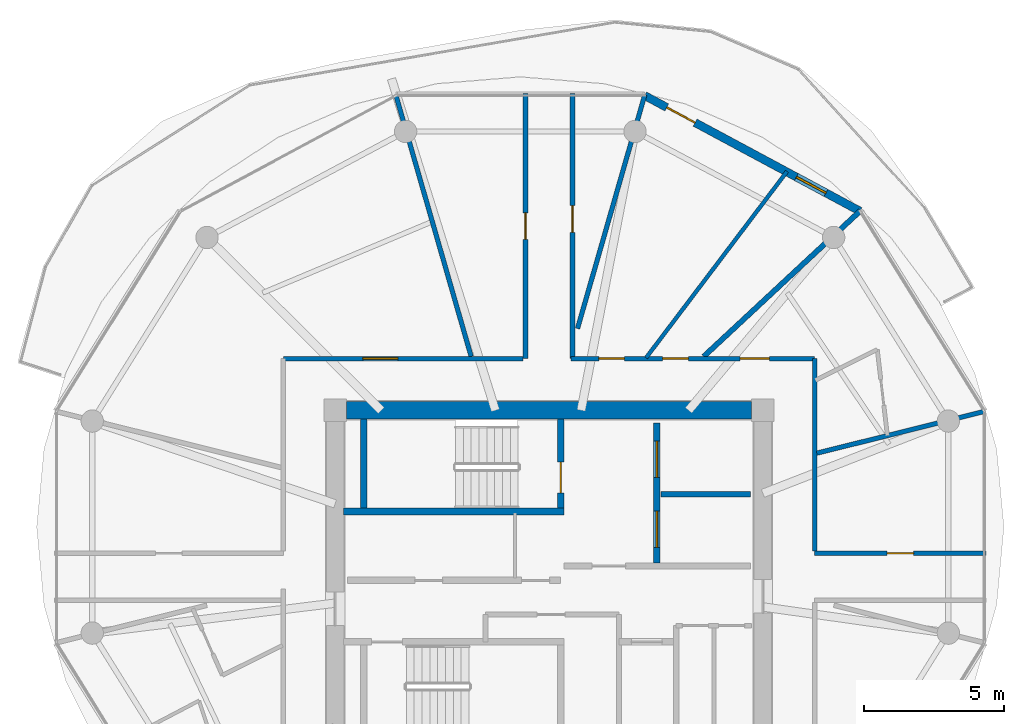
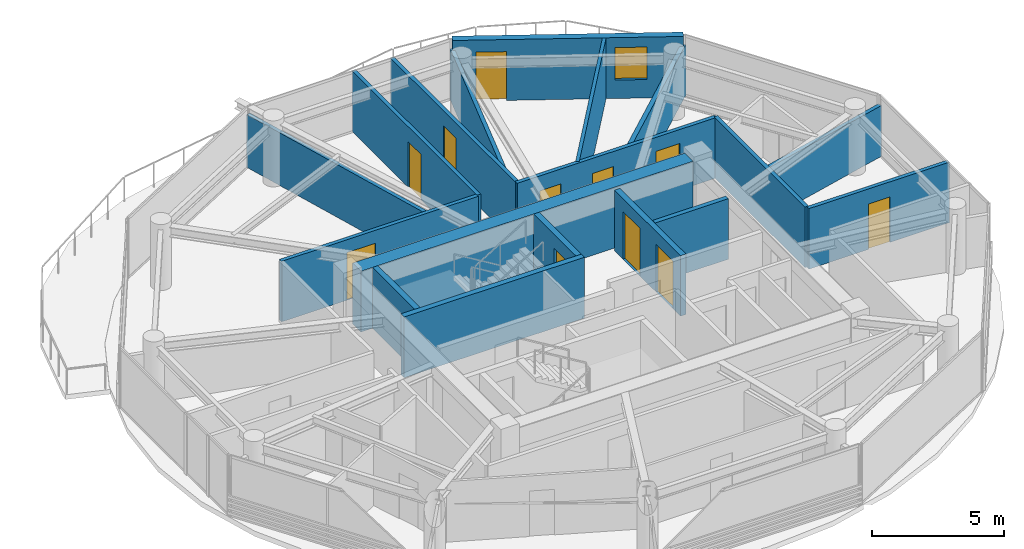
# One storey, part 16 of 22: 18 walls, 11 doors, 1 window, 12 openings.
"""IFC4 building model written with IfcOpenShell, lengths in metres."""

from ifc_helpers import new_model, si_unit, direction, frame, frame_2d, origin, place, context, subcontext, project, spatial, rectangle, extrude, source, transform, mapped, material, layer, layer_set, type_object, type_shapes, element, fill, save


model = new_model("IFC4")

# Units and contexts
model_context = context("Model", 3, precision=1e-05, world=origin(), true_north=direction((0.0, 1.0)))
body_context = subcontext(model_context, "Body", "Model", "MODEL_VIEW")
ifc_project = project(units=[si_unit("LENGTHUNIT", "METRE"), si_unit("AREAUNIT", "SQUARE_METRE"), si_unit("VOLUMEUNIT", "CUBIC_METRE"), si_unit("PLANEANGLEUNIT", "RADIAN"), si_unit("MASSUNIT", "GRAM", prefix="KILO")], contexts=[model_context])

# Site, building, storey
site_placement = place(None, origin())
site = spatial("IfcSite", under=ifc_project, at=site_placement, CompositionType="ELEMENT")
building_placement = place(site_placement, origin())
building = spatial("IfcBuilding", under=site, at=building_placement, Name="Norrkilde Senior Care Towers", CompositionType="ELEMENT")
storey_placement = place(building_placement, frame((0.0, 0.0, 180.050048828125)))
storey = spatial("IfcBuildingStorey", under=building, at=storey_placement, Name="L56", CompositionType="ELEMENT", Elevation=180.050048828125)

# Wall
ifc_material_1 = material(Name="Concrete C50/60", Category="concrete")
ifc_layer_1 = layer(ifc_material_1, 0.6201171875)
ifc_layer_set_1 = layer_set([ifc_layer_1], Name="Concrete C50/60")
wall_type_1 = type_object("IfcWallType", Name="Core Shear Wall Z3 620", PredefinedType="SHEAR", material=ifc_layer_set_1)
shared_shape_1 = source(origin(), body_context, "Body", "SweptSolid", [
    extrude(rectangle(XDim=14.5, YDim=0.6201171875, at=frame_2d((7.25, 0.0))), origin(), (0.0, 0.0, 1.0), 2.81005859375),
])
type_shapes(wall_type_1, [shared_shape_1])
wall_1_placement = place(storey_placement, frame((20.75, 5.949951171875, 0.0), z_axis=(0.0, 0.0, 1.0), x_axis=(1.0, 0.0, 0.0)))
element("IfcWall", 1, at=wall_1_placement, inside=storey, type_object=wall_type_1, Name="L56 Core E North Shear Wall", PredefinedType="SHEAR", context=body_context, shape_type="MappedRepresentation", body=[
    mapped(shared_shape_1, transform((0.0, 0.0, 0.0), x_axis=(1.0, 0.0, 0.0), y_axis=(0.0, 1.0, 0.0), z_axis=(0.0, 0.0, 1.0), scale=1.0)),
])

# Wall, openings, door, window
ifc_material_2 = material(Name="Precast concrete C45/55", Category="concrete")
ifc_layer_2 = layer(ifc_material_2, 0.2900390625)
ifc_layer_set_2 = layer_set([ifc_layer_2], Name="Precast concrete C45/55")
wall_type_2 = type_object("IfcWallType", Name="Winter Garden Facade Wall 290", PredefinedType="SOLIDWALL", material=ifc_layer_set_2)
shared_shape_2 = source(origin(), body_context, "Body", "SweptSolid", [
    extrude(rectangle(XDim=8.74169921875, YDim=0.2900390625, at=frame_2d((4.370849609375, 0.0))), origin(), (0.0, 0.0, 1.0), 2.81005859375),
])
type_shapes(wall_type_2, [shared_shape_2])
wall_2_placement = place(storey_placement, frame((31.421630859375, 17.2109375, 0.0), z_axis=(0.0, 0.0, 1.0), x_axis=(0.880992489116, -0.473130250693, 0.0)))
wall_2 = element("IfcWall", 2, at=wall_2_placement, inside=storey, type_object=wall_type_2, Name="L56 Drum E Balcony Access Wall 01", PredefinedType="SOLIDWALL", context=body_context, shape_type="MappedRepresentation", body=[
    mapped(shared_shape_2, transform((0.0, 0.0, 0.0), x_axis=(1.0, 0.0, 0.0), y_axis=(0.0, 1.0, 0.0), z_axis=(0.0, 0.0, 1.0), scale=1.0)),
])
opening_1_placement = place(wall_2_placement, frame((0.89990234375, 0.0, 0.0)))
opening_1 = element("IfcOpeningElement", 3, at=opening_1_placement, cuts=wall_2, Name="Opening D-09", PredefinedType="OPENING", context=body_context, shape_type="SweptSolid", body=[
    extrude(rectangle(XDim=1.14990234375, YDim=2.25, at=frame_2d((0.574951171875, 1.125))), frame((0.0, 0.155029296875, 0.0), z_axis=(0.0, -1.0, 0.0), x_axis=(1.0, 0.0, 0.0)), (0.0, 0.0, 1.0), 0.31005859375),
])
opening_2_placement = place(wall_2_placement, frame((6.160888671875, 0.0, 0.85009765625)))
opening_2 = element("IfcOpeningElement", 4, at=opening_2_placement, cuts=wall_2, Name="Opening WN-07", PredefinedType="OPENING", context=body_context, shape_type="SweptSolid", body=[
    extrude(rectangle(XDim=1.199951171875, YDim=1.5, at=frame_2d((0.60009765625, 0.75))), frame((0.0, 0.155029296875, 0.0), z_axis=(0.0, -1.0, 0.0), x_axis=(1.0, 0.0, 0.0)), (0.0, 0.0, 1.0), 0.31005859375),
])
ifc_material_3 = material(Name="Anodised Aluminium", Category="aluminium")
door_type_1 = type_object("IfcDoorType", Name="Terrace and Balcony Glazed Door 1150x2250", OperationType="NOTDEFINED", PredefinedType="DOOR", material=ifc_material_3)
shared_shape_3 = source(origin(), body_context, "Body", "SweptSolid", [
    extrude(rectangle(XDim=1.14990234375, YDim=2.25, at=frame_2d((0.574951171875, 1.125))), frame((0.0, 0.02490234375, 0.0), z_axis=(0.0, -1.0, 0.0), x_axis=(1.0, 0.0, 0.0)), (0.0, 0.0, 1.0), 0.050048828125),
])
type_shapes(door_type_1, [shared_shape_3])
door_1_placement = place(opening_1_placement, origin())
door_1 = element("IfcDoor", 5, at=door_1_placement, inside=storey, type_object=door_type_1, Name="L56 Drum E Outdoor Terrace Door 01", OperationType="SINGLE_SWING_RIGHT", OverallHeight=2.25, OverallWidth=1.14990234375, PredefinedType="DOOR", context=body_context, shape_type="MappedRepresentation", body=[
    mapped(shared_shape_3, transform((0.0, 0.0, 0.0), x_axis=(1.0, 0.0, 0.0), y_axis=(0.0, 1.0, 0.0), z_axis=(0.0, 0.0, 1.0), scale=1.0)),
])
fill(opening_1, door_1)
ifc_material_4 = material(Name="Triple Low-E Insulated Glazing", Category="glass")
window_type = type_object("IfcWindowType", Name="Stairwell Smoke Vent Window 1200x1500", PartitioningType="SINGLE_PANEL", PredefinedType="WINDOW", material=ifc_material_4)
shared_shape_4 = source(origin(), body_context, "Body", "SweptSolid", [
    extrude(rectangle(XDim=1.199951171875, YDim=1.5, at=frame_2d((0.60009765625, 0.75))), frame((0.0, 0.030029296875, 0.0), z_axis=(0.0, -1.0, 0.0), x_axis=(1.0, 0.0, 0.0)), (0.0, 0.0, 1.0), 0.06005859375),
])
type_shapes(window_type, [shared_shape_4])
window_placement = place(opening_2_placement, origin())
window = element("IfcWindow", 6, at=window_placement, inside=storey, type_object=window_type, Name="L56 Drum E Winter Garden Window 01", OverallHeight=1.5, OverallWidth=1.199951171875, PartitioningType="SINGLE_PANEL", PredefinedType="WINDOW", context=body_context, shape_type="MappedRepresentation", body=[
    mapped(shared_shape_4, transform((0.0, 0.0, 0.0), x_axis=(1.0, 0.0, 0.0), y_axis=(0.0, 1.0, 0.0), z_axis=(0.0, 0.0, 1.0), scale=1.0)),
])
fill(opening_2, window)

# Walls
ifc_material_5 = material(Name="Concrete C45/55", Category="concrete")
ifc_layer_3 = layer(ifc_material_5, 0.239990234375)
ifc_layer_set_3 = layer_set([ifc_layer_3], Name="Concrete C45/55")
wall_type_3 = type_object("IfcWallType", Name="Shaft and Stair Enclosure Wall 240", PredefinedType="PARTITIONING", material=ifc_layer_set_3)
shared_shape_5 = source(origin(), body_context, "Body", "SweptSolid", [
    extrude(rectangle(XDim=7.880126953125, YDim=0.239990234375, at=frame_2d((3.93994140625, 0.0))), origin(), (0.0, 0.0, 1.0), 2.81005859375),
])
wall_3_placement = place(storey_placement, frame((20.659912109375, 2.330078125, 0.0), z_axis=(0.0, 0.0, 1.0), x_axis=(1.0, 0.0, 0.0)))
element("IfcWall", 7, at=wall_3_placement, inside=storey, type_object=wall_type_3, Name="WL-INT-L56-E-ST1S", PredefinedType="PARTITIONING", context=body_context, shape_type="MappedRepresentation", body=[
    mapped(shared_shape_5, transform((0.0, 0.0, 0.0), x_axis=(1.0, 0.0, 0.0), y_axis=(0.0, 1.0, 0.0), z_axis=(0.0, 0.0, 1.0), scale=1.0)),
])
shared_shape_6 = source(origin(), body_context, "Body", "SweptSolid", [
    extrude(rectangle(XDim=3.18994140625, YDim=0.239990234375, at=frame_2d((1.594970703125, 0.0))), origin(), (0.0, 0.0, 1.0), 2.81005859375),
])
type_shapes(wall_type_3, [shared_shape_5, shared_shape_6])
wall_4_placement = place(storey_placement, frame((21.3798828125, 2.449951171875, 0.0), z_axis=(0.0, 0.0, 1.0), x_axis=(0.0, 1.0, 0.0)))
element("IfcWall", 8, at=wall_4_placement, inside=storey, type_object=wall_type_3, Name="WL-INT-L56-E-ST1W", PredefinedType="PARTITIONING", context=body_context, shape_type="MappedRepresentation", body=[
    mapped(shared_shape_6, transform((0.0, 0.0, 0.0), x_axis=(1.0, 0.0, 0.0), y_axis=(0.0, 1.0, 0.0), z_axis=(0.0, 0.0, 1.0), scale=1.0)),
])

# Wall, opening, door
wall_5_placement = place(storey_placement, frame((28.419921875, 2.449951171875, 0.0), z_axis=(0.0, 0.0, 1.0), x_axis=(0.0, 1.0, 0.0)))
wall_5 = element("IfcWall", 9, at=wall_5_placement, inside=storey, type_object=wall_type_3, Name="WL-INT-L56-E-ST1E", PredefinedType="PARTITIONING", context=body_context, shape_type="MappedRepresentation", body=[
    mapped(shared_shape_6, transform((0.0, 0.0, 0.0), x_axis=(1.0, 0.0, 0.0), y_axis=(0.0, 1.0, 0.0), z_axis=(0.0, 0.0, 1.0), scale=1.0)),
])
opening_3_placement = place(wall_5_placement, frame((0.550048828125, 0.0, 0.0)))
opening_3 = element("IfcOpeningElement", 10, at=opening_3_placement, cuts=wall_5, Name="Opening D-03", PredefinedType="OPENING", context=body_context, shape_type="SweptSolid", body=[
    extrude(rectangle(XDim=1.10009765625, YDim=2.14990234375, at=frame_2d((0.550048828125, 1.074951171875))), frame((0.0, 0.1298828125, 0.0), z_axis=(0.0, -1.0, 0.0), x_axis=(1.0, 0.0, 0.0)), (0.0, 0.0, 1.0), 0.260009765625),
])
ifc_material_6 = material(Name="Galvanised Painted Steel", Category="steel")
door_type_2 = type_object("IfcDoorType", Name="Stairwell Protected Fire Door 1100x2150", OperationType="NOTDEFINED", PredefinedType="DOOR", material=ifc_material_6)
shared_shape_7 = source(origin(), body_context, "Body", "SweptSolid", [
    extrude(rectangle(XDim=1.10009765625, YDim=2.14990234375, at=frame_2d((0.550048828125, 1.074951171875))), frame((0.0, 0.02490234375, 0.0), z_axis=(0.0, -1.0, 0.0), x_axis=(1.0, 0.0, 0.0)), (0.0, 0.0, 1.0), 0.050048828125),
])
type_shapes(door_type_2, [shared_shape_7])
door_2_placement = place(opening_3_placement, origin())
door_2 = element("IfcDoor", 11, at=door_2_placement, inside=storey, type_object=door_type_2, Name="L56 Stair E1 Fire Door", OperationType="SINGLE_SWING_LEFT", OverallHeight=2.14990234375, OverallWidth=1.10009765625, PredefinedType="DOOR", context=body_context, shape_type="MappedRepresentation", body=[
    mapped(shared_shape_7, transform((0.0, 0.0, 0.0), x_axis=(1.0, 0.0, 0.0), y_axis=(0.0, 1.0, 0.0), z_axis=(0.0, 0.0, 1.0), scale=1.0)),
])
fill(opening_3, door_2)

# Wall, openings, doors
ifc_layer_4 = layer(ifc_material_5, 0.239990234375)
ifc_layer_set_4 = layer_set([ifc_layer_4], Name="Concrete C45/55")
wall_type_4 = type_object("IfcWallType", Name="Lift and Plant Rated Enclosure Partition 240", PredefinedType="PARTITIONING", material=ifc_layer_set_4)
shared_shape_8 = source(origin(), body_context, "Body", "SweptSolid", [
    extrude(rectangle(XDim=5.0, YDim=0.239990234375, at=frame_2d((2.5, 0.0))), origin(), (0.0, 0.0, 1.0), 2.794921875),
])
type_shapes(wall_type_4, [shared_shape_8])
wall_6_placement = place(storey_placement, frame((31.860107421875, 0.5, 0.0), z_axis=(0.0, 0.0, 1.0), x_axis=(0.0, 1.0, 0.0)))
wall_6 = element("IfcWall", 12, at=wall_6_placement, inside=storey, type_object=wall_type_4, Name="WL-INT-L56-E-FFLE", PredefinedType="PARTITIONING", context=body_context, shape_type="MappedRepresentation", body=[
    mapped(shared_shape_8, transform((0.0, 0.0, 0.0), x_axis=(1.0, 0.0, 0.0), y_axis=(0.0, 1.0, 0.0), z_axis=(0.0, 0.0, 1.0), scale=1.0)),
])
opening_4_placement = place(wall_6_placement, frame((3.050048828125, 0.0, 0.0)))
opening_4 = element("IfcOpeningElement", 13, at=opening_4_placement, cuts=wall_6, Name="Opening LD-02", PredefinedType="OPENING", context=body_context, shape_type="SweptSolid", body=[
    extrude(rectangle(XDim=1.300048828125, YDim=2.199951171875, at=frame_2d((0.64990234375, 1.10009765625))), frame((0.0, 0.1298828125, 0.0), z_axis=(0.0, -1.0, 0.0), x_axis=(1.0, 0.0, 0.0)), (0.0, 0.0, 1.0), 0.260009765625),
])
opening_5_placement = place(wall_6_placement, frame((0.550048828125, 0.0, 0.0)))
opening_5 = element("IfcOpeningElement", 14, at=opening_5_placement, cuts=wall_6, Name="Opening LD-02", PredefinedType="OPENING", context=body_context, shape_type="SweptSolid", body=[
    extrude(rectangle(XDim=1.300048828125, YDim=2.199951171875, at=frame_2d((0.64990234375, 1.10009765625))), frame((0.0, 0.1298828125, 0.0), z_axis=(0.0, -1.0, 0.0), x_axis=(1.0, 0.0, 0.0)), (0.0, 0.0, 1.0), 0.260009765625),
])
ifc_material_7 = material(Name="Stainless Steel", Category="steel")
door_type_3 = type_object("IfcDoorType", Name="Stretcher and FFL Landing Sliding Door 1300x2200", OperationType="NOTDEFINED", PredefinedType="DOOR", material=ifc_material_7)
shared_shape_9 = source(origin(), body_context, "Body", "SweptSolid", [
    extrude(rectangle(XDim=1.300048828125, YDim=2.199951171875, at=frame_2d((0.64990234375, 1.10009765625))), frame((0.0, 0.02490234375, 0.0), z_axis=(0.0, -1.0, 0.0), x_axis=(1.0, 0.0, 0.0)), (0.0, 0.0, 1.0), 0.050048828125),
])
type_shapes(door_type_3, [shared_shape_9])
door_3_placement = place(opening_4_placement, origin())
door_3 = element("IfcDoor", 15, at=door_3_placement, inside=storey, type_object=door_type_3, Name="L56 Firefighting Lift E1 Landing Door", OperationType="SLIDING_TO_LEFT", OverallHeight=2.199951171875, OverallWidth=1.300048828125, PredefinedType="DOOR", context=body_context, shape_type="MappedRepresentation", body=[
    mapped(shared_shape_9, transform((0.0, 0.0, 0.0), x_axis=(1.0, 0.0, 0.0), y_axis=(0.0, 1.0, 0.0), z_axis=(0.0, 0.0, 1.0), scale=1.0)),
])
fill(opening_4, door_3)
door_4_placement = place(opening_5_placement, origin())
door_4 = element("IfcDoor", 16, at=door_4_placement, inside=storey, type_object=door_type_3, Name="L56 Stretcher Lift E1 Landing Door", OperationType="SLIDING_TO_RIGHT", OverallHeight=2.199951171875, OverallWidth=1.300048828125, PredefinedType="DOOR", context=body_context, shape_type="MappedRepresentation", body=[
    mapped(shared_shape_9, transform((0.0, 0.0, 0.0), x_axis=(1.0, 0.0, 0.0), y_axis=(0.0, 1.0, 0.0), z_axis=(0.0, 0.0, 1.0), scale=1.0)),
])
fill(opening_5, door_4)

# Wall
ifc_layer_5 = layer(ifc_material_5, 0.199951171875)
ifc_layer_set_5 = layer_set([ifc_layer_5], Name="Concrete C45/55")
wall_type_5 = type_object("IfcWallType", Name="Shaft Division and Plant Partition 200", PredefinedType="PARTITIONING", material=ifc_layer_set_5)
shared_shape_10 = source(origin(), body_context, "Body", "SweptSolid", [
    extrude(rectangle(XDim=3.199951171875, YDim=0.199951171875, at=frame_2d((1.60009765625, 0.0))), origin(), (0.0, 0.0, 1.0), 2.794921875),
])
type_shapes(wall_type_5, [shared_shape_10])
wall_7_placement = place(storey_placement, frame((32.0, 2.949951171875, 0.0), z_axis=(0.0, 0.0, 1.0), x_axis=(1.0, 0.0, 0.0)))
element("IfcWall", 17, at=wall_7_placement, inside=storey, type_object=wall_type_5, Name="WL-INT-L56-E-FFLDIV", PredefinedType="PARTITIONING", context=body_context, shape_type="MappedRepresentation", body=[
    mapped(shared_shape_10, transform((0.0, 0.0, 0.0), x_axis=(1.0, 0.0, 0.0), y_axis=(0.0, 1.0, 0.0), z_axis=(0.0, 0.0, 1.0), scale=1.0)),
])

# Wall, openings, doors
ifc_material_8 = material(Name="Gypsum Acoustic Board")
ifc_layer_6 = layer(ifc_material_8, 0.1650390625)
ifc_layer_set_6 = layer_set([ifc_layer_6], Name="Gypsum Acoustic Board")
wall_type_6 = type_object("IfcWallType", Name="Corridor Rated Partition 165", PredefinedType="PARTITIONING", material=ifc_layer_set_6)
shared_shape_11 = source(origin(), body_context, "Body", "SweptSolid", [
    extrude(rectangle(XDim=8.719482421875, YDim=0.1650390625, at=frame_2d((4.35986328125, 0.0))), origin(), (0.0, 0.0, 1.0), 2.794921875),
])
wall_8_placement = place(storey_placement, frame((28.780517578125, 7.800048828125, 0.0), z_axis=(0.0, 0.0, 1.0), x_axis=(1.0, 0.0, 0.0)))
wall_8 = element("IfcWall", 18, at=wall_8_placement, inside=storey, type_object=wall_type_6, Name="WL-INT-L56-E-CRW-N-1", PredefinedType="PARTITIONING", context=body_context, shape_type="MappedRepresentation", body=[
    mapped(shared_shape_11, transform((0.0, 0.0, 0.0), x_axis=(1.0, 0.0, 0.0), y_axis=(0.0, 1.0, 0.0), z_axis=(0.0, 0.0, 1.0), scale=1.0)),
])
opening_6_placement = place(wall_8_placement, frame((6.054443359375, 0.0, 0.0)))
opening_6 = element("IfcOpeningElement", 19, at=opening_6_placement, cuts=wall_8, Name="Opening D-06", PredefinedType="OPENING", context=body_context, shape_type="SweptSolid", body=[
    extrude(rectangle(XDim=1.050048828125, YDim=2.14990234375, at=frame_2d((0.52490234375, 1.074951171875))), frame((0.0, 0.092529296875, 0.0), z_axis=(0.0, -1.0, 0.0), x_axis=(1.0, 0.0, 0.0)), (0.0, 0.0, 1.0), 0.18505859375),
])
opening_7_placement = place(wall_8_placement, frame((3.286865234375, 0.0, 0.0)))
opening_7 = element("IfcOpeningElement", 20, at=opening_7_placement, cuts=wall_8, Name="Opening D-08", PredefinedType="OPENING", context=body_context, shape_type="SweptSolid", body=[
    extrude(rectangle(XDim=0.919921875, YDim=2.10009765625, at=frame_2d((0.4599609375, 1.050048828125))), frame((0.0, 0.092529296875, 0.0), z_axis=(0.0, -1.0, 0.0), x_axis=(1.0, 0.0, 0.0)), (0.0, 0.0, 1.0), 0.18505859375),
])
opening_8_placement = place(wall_8_placement, frame((1.0, 0.0, 0.0)))
opening_8 = element("IfcOpeningElement", 21, at=opening_8_placement, cuts=wall_8, Name="Opening D-08", PredefinedType="OPENING", context=body_context, shape_type="SweptSolid", body=[
    extrude(rectangle(XDim=0.919921875, YDim=2.10009765625, at=frame_2d((0.4599609375, 1.050048828125))), frame((0.0, 0.092529296875, 0.0), z_axis=(0.0, -1.0, 0.0), x_axis=(1.0, 0.0, 0.0)), (0.0, 0.0, 1.0), 0.18505859375),
])
ifc_material_9 = material(Name="Nordic Ash Timber", Category="wood")
door_type_4 = type_object("IfcDoorType", Name="Accessible Wet Room Door 920x2100", OperationType="NOTDEFINED", PredefinedType="DOOR", material=ifc_material_9)
shared_shape_12 = source(origin(), body_context, "Body", "SweptSolid", [
    extrude(rectangle(XDim=0.919921875, YDim=2.10009765625, at=frame_2d((0.4599609375, 1.050048828125))), frame((0.0, 0.02490234375, 0.0), z_axis=(0.0, -1.0, 0.0), x_axis=(1.0, 0.0, 0.0)), (0.0, 0.0, 1.0), 0.050048828125),
])
type_shapes(door_type_4, [shared_shape_12])
door_5_placement = place(opening_7_placement, frame((0.919921875, 0.0, 0.0), z_axis=(0.0, 0.0, 1.0), x_axis=(-1.0, 0.0, 0.0)))
door_5 = element("IfcDoor", 22, at=door_5_placement, inside=storey, type_object=door_type_4, Name="L56 Accessible Restroom Door", OperationType="SINGLE_SWING_RIGHT", OverallHeight=2.10009765625, OverallWidth=0.919921875, PredefinedType="DOOR", context=body_context, shape_type="MappedRepresentation", body=[
    mapped(shared_shape_12, transform((0.0, 0.0, 0.0), x_axis=(1.0, 0.0, 0.0), y_axis=(0.0, 1.0, 0.0), z_axis=(0.0, 0.0, 1.0), scale=1.0)),
])
fill(opening_7, door_5)
door_6_placement = place(opening_8_placement, frame((0.919921875, 0.0, 0.0), z_axis=(0.0, 0.0, 1.0), x_axis=(-1.0, 0.0, 0.0)))
door_6 = element("IfcDoor", 23, at=door_6_placement, inside=storey, type_object=door_type_4, Name="L56 Public Restroom Door", OperationType="SINGLE_SWING_LEFT", OverallHeight=2.10009765625, OverallWidth=0.919921875, PredefinedType="DOOR", context=body_context, shape_type="MappedRepresentation", body=[
    mapped(shared_shape_12, transform((0.0, 0.0, 0.0), x_axis=(1.0, 0.0, 0.0), y_axis=(0.0, 1.0, 0.0), z_axis=(0.0, 0.0, 1.0), scale=1.0)),
])
fill(opening_8, door_6)
door_type_5 = type_object("IfcDoorType", Name="Apartment Entrance Fire Door 1050x2150", OperationType="NOTDEFINED", PredefinedType="DOOR", material=ifc_material_9)
shared_shape_13 = source(origin(), body_context, "Body", "SweptSolid", [
    extrude(rectangle(XDim=1.050048828125, YDim=2.14990234375, at=frame_2d((0.52490234375, 1.074951171875))), frame((0.0, 0.02490234375, 0.0), z_axis=(0.0, -1.0, 0.0), x_axis=(1.0, 0.0, 0.0)), (0.0, 0.0, 1.0), 0.050048828125),
])
type_shapes(door_type_5, [shared_shape_13])
door_7_placement = place(opening_6_placement, frame((1.050048828125, 0.0, 0.0), z_axis=(0.0, 0.0, 1.0), x_axis=(-1.0, 0.0, 0.0)))
door_7 = element("IfcDoor", 24, at=door_7_placement, inside=storey, type_object=door_type_5, Name="L56 Studio 56A Entrance Door", OperationType="SINGLE_SWING_LEFT", OverallHeight=2.14990234375, OverallWidth=1.050048828125, PredefinedType="DOOR", context=body_context, shape_type="MappedRepresentation", body=[
    mapped(shared_shape_13, transform((0.0, 0.0, 0.0), x_axis=(1.0, 0.0, 0.0), y_axis=(0.0, 1.0, 0.0), z_axis=(0.0, 0.0, 1.0), scale=1.0)),
])
fill(opening_6, door_7)

# Walls
shared_shape_14 = source(origin(), body_context, "Body", "SweptSolid", [
    extrude(rectangle(XDim=9.73046875, YDim=0.1650390625, at=frame_2d((4.865234375, 0.0))), origin(), (0.0, 0.0, 1.0), 2.43505859375),
])
wall_9_placement = place(storey_placement, frame((25.216552734375, 7.8798828125, 0.0), z_axis=(0.0, 0.0, 1.0), x_axis=(-0.27679492614, 0.960929013436, 0.0)))
element("IfcWall", 25, at=wall_9_placement, inside=storey, type_object=wall_type_6, Name="WL-INT-L56-E-DEM-03-0", PredefinedType="PARTITIONING", context=body_context, shape_type="MappedRepresentation", body=[
    mapped(shared_shape_14, transform((0.0, 0.0, 0.0), x_axis=(1.0, 0.0, 0.0), y_axis=(0.0, 1.0, 0.0), z_axis=(0.0, 0.0, 1.0), scale=1.0)),
])
ifc_layer_7 = layer(ifc_material_8, 0.18994140625)
ifc_layer_set_7 = layer_set([ifc_layer_7], Name="Gypsum Acoustic Board")
wall_type_7 = type_object("IfcWallType", Name="Unit Demising Acoustic Wall 190", PredefinedType="PARTITIONING", material=ifc_layer_set_7)
shared_shape_15 = source(origin(), body_context, "Body", "SweptSolid", [
    extrude(rectangle(XDim=7.64794921875, YDim=0.18994140625, at=frame_2d((3.823974609375, 0.0))), origin(), (0.0, 0.0, 1.0), 2.344970703125),
])
type_shapes(wall_type_7, [shared_shape_15])
wall_10_placement = place(storey_placement, frame((33.53759765625, 7.8798828125, 0.0), z_axis=(0.0, 0.0, 1.0), x_axis=(0.732167856666, 0.681124239522, 0.0)))
element("IfcWall", 26, at=wall_10_placement, inside=storey, type_object=wall_type_7, Name="WL-INT-L56-E-DEM-01-0", PredefinedType="PARTITIONING", context=body_context, shape_type="MappedRepresentation", body=[
    mapped(shared_shape_15, transform((0.0, 0.0, 0.0), x_axis=(1.0, 0.0, 0.0), y_axis=(0.0, 1.0, 0.0), z_axis=(0.0, 0.0, 1.0), scale=1.0)),
])
shared_shape_16 = source(origin(), body_context, "Body", "SweptSolid", [
    extrude(rectangle(XDim=8.695068359375, YDim=0.1650390625, at=frame_2d((4.34765625, 0.0))), origin(), (0.0, 0.0, 1.0), 2.344970703125),
])
wall_11_placement = place(storey_placement, frame((29.02001953125, 8.875, 0.0), z_axis=(0.0, 0.0, 1.0), x_axis=(0.276797231892, 0.960928349263, 0.0)))
element("IfcWall", 27, at=wall_11_placement, inside=storey, type_object=wall_type_6, Name="WL-INT-L56-E-DEM-02-0", PredefinedType="PARTITIONING", context=body_context, shape_type="MappedRepresentation", body=[
    mapped(shared_shape_16, transform((0.0, 0.0, 0.0), x_axis=(1.0, 0.0, 0.0), y_axis=(0.0, 1.0, 0.0), z_axis=(0.0, 0.0, 1.0), scale=1.0)),
])
shared_shape_17 = source(origin(), body_context, "Body", "SweptSolid", [
    extrude(rectangle(XDim=6.192626953125, YDim=0.1650390625, at=frame_2d((3.09619140625, 0.0))), origin(), (0.0, 0.0, 1.0), 2.344970703125),
])
wall_12_placement = place(storey_placement, frame((37.580078125, 4.418701171875, 0.0), z_axis=(0.0, 0.0, 1.0), x_axis=(0.970309243466, 0.241867674657, 0.0)))
element("IfcWall", 28, at=wall_12_placement, inside=storey, type_object=wall_type_6, Name="WL-INT-L56-E-DEM-00-0", PredefinedType="PARTITIONING", context=body_context, shape_type="MappedRepresentation", body=[
    mapped(shared_shape_17, transform((0.0, 0.0, 0.0), x_axis=(1.0, 0.0, 0.0), y_axis=(0.0, 1.0, 0.0), z_axis=(0.0, 0.0, 1.0), scale=1.0)),
])

# Wall, opening, door
shared_shape_18 = source(origin(), body_context, "Body", "SweptSolid", [
    extrude(rectangle(XDim=8.580078125, YDim=0.1650390625, at=frame_2d((4.2900390625, 0.0))), origin(), (0.0, 0.0, 1.0), 2.794921875),
])
wall_13_placement = place(storey_placement, frame((18.5, 7.800048828125, 0.0), z_axis=(0.0, 0.0, 1.0), x_axis=(1.0, 0.0, 0.0)))
wall_13 = element("IfcWall", 29, at=wall_13_placement, inside=storey, type_object=wall_type_6, Name="WL-INT-L56-E-CRW-N-0", PredefinedType="PARTITIONING", context=body_context, shape_type="MappedRepresentation", body=[
    mapped(shared_shape_18, transform((0.0, 0.0, 0.0), x_axis=(1.0, 0.0, 0.0), y_axis=(0.0, 1.0, 0.0), z_axis=(0.0, 0.0, 1.0), scale=1.0)),
])
opening_9_placement = place(wall_13_placement, frame((2.8427734375, 0.0, 0.0)))
opening_9 = element("IfcOpeningElement", 30, at=opening_9_placement, cuts=wall_13, Name="Opening D-05", PredefinedType="OPENING", context=body_context, shape_type="SweptSolid", body=[
    extrude(rectangle(XDim=1.25, YDim=2.199951171875, at=frame_2d((0.625, 1.10009765625))), frame((0.0, 0.092529296875, 0.0), z_axis=(0.0, -1.0, 0.0), x_axis=(1.0, 0.0, 0.0)), (0.0, 0.0, 1.0), 0.18505859375),
])
door_type_6 = type_object("IfcDoorType", Name="Care Bedroom Bariatric Door 1250x2200", OperationType="NOTDEFINED", PredefinedType="DOOR", material=ifc_material_9)
shared_shape_19 = source(origin(), body_context, "Body", "SweptSolid", [
    extrude(rectangle(XDim=1.25, YDim=2.199951171875, at=frame_2d((0.625, 1.10009765625))), frame((0.0, 0.02490234375, 0.0), z_axis=(0.0, -1.0, 0.0), x_axis=(1.0, 0.0, 0.0)), (0.0, 0.0, 1.0), 0.050048828125),
])
type_shapes(door_type_6, [shared_shape_19])
door_8_placement = place(opening_9_placement, frame((1.25, 0.0, 0.0), z_axis=(0.0, 0.0, 1.0), x_axis=(-1.0, 0.0, 0.0)))
door_8 = element("IfcDoor", 31, at=door_8_placement, inside=storey, type_object=door_type_6, Name="L56 Senior Wellness Library Lounge Door", OperationType="SINGLE_SWING_RIGHT", OverallHeight=2.199951171875, OverallWidth=1.25, PredefinedType="DOOR", context=body_context, shape_type="MappedRepresentation", body=[
    mapped(shared_shape_19, transform((0.0, 0.0, 0.0), x_axis=(1.0, 0.0, 0.0), y_axis=(0.0, 1.0, 0.0), z_axis=(0.0, 0.0, 1.0), scale=1.0)),
])
fill(opening_9, door_8)

# Wall
shared_shape_20 = source(origin(), body_context, "Body", "SweptSolid", [
    extrude(rectangle(XDim=6.880126953125, YDim=0.1650390625, at=frame_2d((3.43994140625, 0.0))), origin(), (0.0, 0.0, 1.0), 2.794921875),
])
wall_14_placement = place(storey_placement, frame((37.5, 7.800048828125, 0.0), z_axis=(0.0, 0.0, 1.0), x_axis=(0.0, -1.0, 0.0)))
element("IfcWall", 32, at=wall_14_placement, inside=storey, type_object=wall_type_6, Name="WL-INT-L56-E-CRW-E-0", PredefinedType="PARTITIONING", context=body_context, shape_type="MappedRepresentation", body=[
    mapped(shared_shape_20, transform((0.0, 0.0, 0.0), x_axis=(1.0, 0.0, 0.0), y_axis=(0.0, 1.0, 0.0), z_axis=(0.0, 0.0, 1.0), scale=1.0)),
])

# Wall, opening, door
shared_shape_21 = source(origin(), body_context, "Body", "SweptSolid", [
    extrude(rectangle(XDim=9.480224609375, YDim=0.1650390625, at=frame_2d((4.740234375, 0.0))), origin(), (0.0, 0.0, 1.0), 2.794921875),
])
wall_15_placement = place(storey_placement, frame((27.159912109375, 7.800048828125, 0.0), z_axis=(0.0, 0.0, 1.0), x_axis=(0.0, 1.0, 0.0)))
wall_15 = element("IfcWall", 33, at=wall_15_placement, inside=storey, type_object=wall_type_6, Name="WL-INT-L56-E-SPK-N1-0", PredefinedType="PARTITIONING", context=body_context, shape_type="MappedRepresentation", body=[
    mapped(shared_shape_21, transform((0.0, 0.0, 0.0), x_axis=(1.0, 0.0, 0.0), y_axis=(0.0, 1.0, 0.0), z_axis=(0.0, 0.0, 1.0), scale=1.0)),
])
opening_10_placement = place(wall_15_placement, frame((4.26513671875, 0.0, 0.0)))
opening_10 = element("IfcOpeningElement", 34, at=opening_10_placement, cuts=wall_15, Name="Opening D-07", PredefinedType="OPENING", context=body_context, shape_type="SweptSolid", body=[
    extrude(rectangle(XDim=0.949951171875, YDim=2.10009765625, at=frame_2d((0.47509765625, 1.050048828125))), frame((0.0, 0.092529296875, 0.0), z_axis=(0.0, -1.0, 0.0), x_axis=(1.0, 0.0, 0.0)), (0.0, 0.0, 1.0), 0.18505859375),
])
door_type_7 = type_object("IfcDoorType", Name="Internal Suite Bedroom Door 950x2100", OperationType="NOTDEFINED", PredefinedType="DOOR", material=ifc_material_9)
shared_shape_22 = source(origin(), body_context, "Body", "SweptSolid", [
    extrude(rectangle(XDim=0.949951171875, YDim=2.10009765625, at=frame_2d((0.47509765625, 1.050048828125))), frame((0.0, 0.02490234375, 0.0), z_axis=(0.0, -1.0, 0.0), x_axis=(1.0, 0.0, 0.0)), (0.0, 0.0, 1.0), 0.050048828125),
])
type_shapes(door_type_7, [shared_shape_22])
door_9_placement = place(opening_10_placement, frame((0.949951171875, 0.0, 0.0), z_axis=(0.0, 0.0, 1.0), x_axis=(-1.0, 0.0, 0.0)))
door_9 = element("IfcDoor", 35, at=door_9_placement, inside=storey, type_object=door_type_7, Name="L56 Sun Reading Lounge 3 Door", OperationType="SINGLE_SWING_RIGHT", OverallHeight=2.10009765625, OverallWidth=0.949951171875, PredefinedType="DOOR", context=body_context, shape_type="MappedRepresentation", body=[
    mapped(shared_shape_22, transform((0.0, 0.0, 0.0), x_axis=(1.0, 0.0, 0.0), y_axis=(0.0, 1.0, 0.0), z_axis=(0.0, 0.0, 1.0), scale=1.0)),
])
fill(opening_10, door_9)

wall_16_placement = place(storey_placement, frame((28.840087890625, 17.2802734375, 0.0), z_axis=(0.0, 0.0, 1.0), x_axis=(0.0, -1.0, 0.0)))
wall_16 = element("IfcWall", 36, at=wall_16_placement, inside=storey, type_object=wall_type_6, Name="WL-INT-L56-E-SPK-N2-0", PredefinedType="PARTITIONING", context=body_context, shape_type="MappedRepresentation", body=[
    mapped(shared_shape_21, transform((0.0, 0.0, 0.0), x_axis=(1.0, 0.0, 0.0), y_axis=(0.0, 1.0, 0.0), z_axis=(0.0, 0.0, 1.0), scale=1.0)),
])
opening_11_placement = place(wall_16_placement, frame((4.009765625, 0.0, 0.0)))
opening_11 = element("IfcOpeningElement", 37, at=opening_11_placement, cuts=wall_16, Name="Opening D-07", PredefinedType="OPENING", context=body_context, shape_type="SweptSolid", body=[
    extrude(rectangle(XDim=0.949951171875, YDim=2.10009765625, at=frame_2d((0.47509765625, 1.050048828125))), frame((0.0, 0.092529296875, 0.0), z_axis=(0.0, -1.0, 0.0), x_axis=(1.0, 0.0, 0.0)), (0.0, 0.0, 1.0), 0.18505859375),
])
door_10_placement = place(opening_11_placement, frame((0.949951171875, 0.0, 0.0), z_axis=(0.0, 0.0, 1.0), x_axis=(-1.0, 0.0, 0.0)))
door_10 = element("IfcDoor", 38, at=door_10_placement, inside=storey, type_object=door_type_7, Name="L56 Sun Reading Lounge 4 Door", OperationType="SINGLE_SWING_LEFT", OverallHeight=2.10009765625, OverallWidth=0.949951171875, PredefinedType="DOOR", context=body_context, shape_type="MappedRepresentation", body=[
    mapped(shared_shape_22, transform((0.0, 0.0, 0.0), x_axis=(1.0, 0.0, 0.0), y_axis=(0.0, 1.0, 0.0), z_axis=(0.0, 0.0, 1.0), scale=1.0)),
])
fill(opening_11, door_10)

shared_shape_23 = source(origin(), body_context, "Body", "SweptSolid", [
    extrude(rectangle(XDim=6.138916015625, YDim=0.1650390625, at=frame_2d((3.0693359375, 0.0))), origin(), (0.0, 0.0, 1.0), 2.794921875),
])
type_shapes(wall_type_6, [shared_shape_11, shared_shape_14, shared_shape_16, shared_shape_17, shared_shape_18, shared_shape_20, shared_shape_21, shared_shape_23])
wall_17_placement = place(storey_placement, frame((37.5, 0.840087890625, 0.0), z_axis=(0.0, 0.0, 1.0), x_axis=(1.0, 0.0, 0.0)))
wall_17 = element("IfcWall", 39, at=wall_17_placement, inside=storey, type_object=wall_type_6, Name="WL-INT-L56-E-SPK-E1-0", PredefinedType="PARTITIONING", context=body_context, shape_type="MappedRepresentation", body=[
    mapped(shared_shape_23, transform((0.0, 0.0, 0.0), x_axis=(1.0, 0.0, 0.0), y_axis=(0.0, 1.0, 0.0), z_axis=(0.0, 0.0, 1.0), scale=1.0)),
])
opening_12_placement = place(wall_17_placement, frame((2.594482421875, 0.0, 0.0)))
opening_12 = element("IfcOpeningElement", 40, at=opening_12_placement, cuts=wall_17, Name="Opening D-07", PredefinedType="OPENING", context=body_context, shape_type="SweptSolid", body=[
    extrude(rectangle(XDim=0.949951171875, YDim=2.10009765625, at=frame_2d((0.47509765625, 1.050048828125))), frame((0.0, 0.092529296875, 0.0), z_axis=(0.0, -1.0, 0.0), x_axis=(1.0, 0.0, 0.0)), (0.0, 0.0, 1.0), 0.18505859375),
])
door_11_placement = place(opening_12_placement, frame((0.949951171875, 0.0, 0.0), z_axis=(0.0, 0.0, 1.0), x_axis=(-1.0, 0.0, 0.0)))
door_11 = element("IfcDoor", 41, at=door_11_placement, inside=storey, type_object=door_type_7, Name="L56 Sun Reading Lounge 5 Door", OperationType="SINGLE_SWING_RIGHT", OverallHeight=2.10009765625, OverallWidth=0.949951171875, PredefinedType="DOOR", context=body_context, shape_type="MappedRepresentation", body=[
    mapped(shared_shape_22, transform((0.0, 0.0, 0.0), x_axis=(1.0, 0.0, 0.0), y_axis=(0.0, 1.0, 0.0), z_axis=(0.0, 0.0, 1.0), scale=1.0)),
])
fill(opening_12, door_11)

# Wall
ifc_layer_8 = layer(ifc_material_8, 0.139892578125)
ifc_layer_set_8 = layer_set([ifc_layer_8], Name="Gypsum Acoustic Board")
wall_type_8 = type_object("IfcWallType", Name="En-suite Wet Room Wall 140", PredefinedType="PARTITIONING", material=ifc_layer_set_8)
shared_shape_24 = source(origin(), body_context, "Body", "SweptSolid", [
    extrude(rectangle(XDim=8.359375, YDim=0.139892578125, at=frame_2d((4.1796875, 0.0))), origin(), (0.0, 0.0, 1.0), 2.794921875),
])
type_shapes(wall_type_8, [shared_shape_24])
wall_18_placement = place(storey_placement, frame((31.47265625, 7.830078125, 0.0), z_axis=(0.0, 0.0, 1.0), x_axis=(0.603265985309, 0.797540062297, 0.0)))
element("IfcWall", 42, at=wall_18_placement, inside=storey, type_object=wall_type_8, Name="WL-INT-L56-E-MID-01", PredefinedType="PARTITIONING", context=body_context, shape_type="MappedRepresentation", body=[
    mapped(shared_shape_24, transform((0.0, 0.0, 0.0), x_axis=(1.0, 0.0, 0.0), y_axis=(0.0, 1.0, 0.0), z_axis=(0.0, 0.0, 1.0), scale=1.0)),
])

save(model, "model.ifc")
